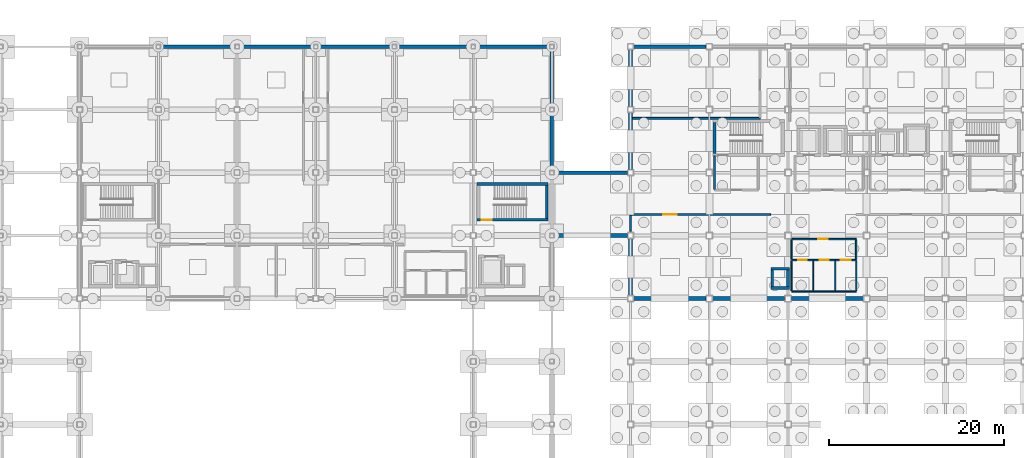
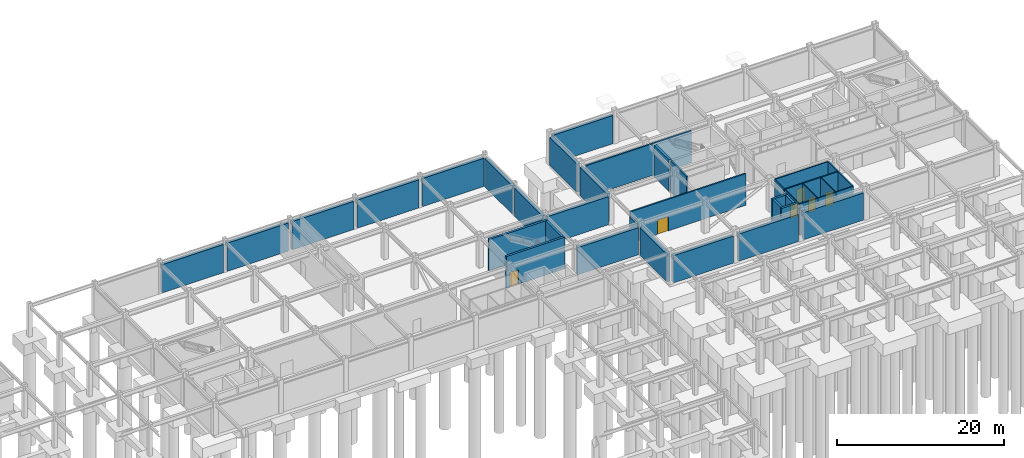
# One storey, part 23 of 28: 39 walls, 6 doors, 6 openings.
"""IFC4 building model written with IfcOpenShell, lengths in metres."""

from ifc_helpers import new_model, si_unit, direction, frame, frame_2d, origin, place, context, subcontext, project, spatial, rectangle, extrude, material, layer, layer_set, type_object, element, fill, save


model = new_model("IFC4")

# Units and contexts
model_context = context("Model", 3, precision=1e-05, world=origin(), true_north=direction((0.0, 1.0)))
body_context = subcontext(model_context, "Body", "Model", "MODEL_VIEW")
ifc_project = project(units=[si_unit("LENGTHUNIT", "METRE"), si_unit("AREAUNIT", "SQUARE_METRE"), si_unit("VOLUMEUNIT", "CUBIC_METRE"), si_unit("PLANEANGLEUNIT", "RADIAN"), si_unit("MASSUNIT", "GRAM", prefix="KILO")], contexts=[model_context])

# Site, building, storey
site_placement = place(None, origin())
site = spatial("IfcSite", under=ifc_project, at=site_placement, CompositionType="ELEMENT")
building_placement = place(site_placement, origin())
building = spatial("IfcBuilding", under=site, at=building_placement, Name="Kazanami Central Library", CompositionType="ELEMENT")
storey_placement = place(building_placement, frame((0.0, 0.0, -4.89990234375)))
storey = spatial("IfcBuildingStorey", under=building, at=storey_placement, Name="B01", CompositionType="ELEMENT", Elevation=-4.89990234375)

# Wall, openings, doors
ifc_material_1 = material(Name="Fire-Resistant Gypsum Board GB-F", Category="gypsum")
ifc_layer_1 = layer(ifc_material_1, 0.1650390625, Name="Fire-Resistant Gypsum Board GB-F")
ifc_layer_set_1 = layer_set([ifc_layer_1], Name="Fire-Resistant Gypsum Board GB-F")
wall_type_1 = type_object("IfcWallType", Name="WAL-FW-165", PredefinedType="PARTITIONING", material=ifc_layer_set_1)
wall_1_placement = place(storey_placement, frame((135.39990234375, 69.199951171875, 0.0), z_axis=(0.0, 0.0, 1.0), x_axis=(1.0, 0.0, 0.0)))
wall_1 = element("IfcWall", 1, at=wall_1_placement, inside=storey, type_object=wall_type_1, Name="Interior Partition FW-165 B01 WC-V2-LOB (South)", PredefinedType="PARTITIONING", context=body_context, shape_type="SweptSolid", body=[
    extrude(rectangle(XDim=7.400146484375, YDim=0.1650390625, at=frame_2d((3.7001953125, 0.0))), origin(), (0.0, 0.0, 1.0), 4.625),
])
opening_1_placement = place(wall_1_placement, frame((0.760009765625, 0.0, 0.0)))
opening_1 = element("IfcOpeningElement", 2, at=opening_1_placement, cuts=wall_1, Name="Opening FD30-3", PredefinedType="OPENING", context=body_context, shape_type="SweptSolid", body=[
    extrude(rectangle(XDim=0.97998046875, YDim=2.02001953125, at=frame_2d((0.489990234375, 1.010009765625))), frame((0.0, 0.094482421875, 0.0), z_axis=(0.0, -1.0, 0.0), x_axis=(1.0, 0.0, 0.0)), (0.0, 0.0, 1.0), 0.18896484375),
])
opening_2_placement = place(wall_1_placement, frame((3.25, 0.0, 0.0)))
opening_2 = element("IfcOpeningElement", 3, at=opening_2_placement, cuts=wall_1, Name="Opening FD30-2", PredefinedType="OPENING", context=body_context, shape_type="SweptSolid", body=[
    extrude(rectangle(XDim=1.0, YDim=2.080078125, at=frame_2d((0.5, 1.0400390625))), frame((0.0, 0.094482421875, 0.0), z_axis=(0.0, -1.0, 0.0), x_axis=(1.0, 0.0, 0.0)), (0.0, 0.0, 1.0), 0.18896484375),
])
opening_3_placement = place(wall_1_placement, frame((5.639892578125, 0.0, 0.0)))
opening_3 = element("IfcOpeningElement", 4, at=opening_3_placement, cuts=wall_1, Name="Opening FD30-8", PredefinedType="OPENING", context=body_context, shape_type="SweptSolid", body=[
    extrude(rectangle(XDim=1.1201171875, YDim=2.080078125, at=frame_2d((0.56005859375, 1.0400390625))), frame((0.0, 0.094482421875, 0.0), z_axis=(0.0, -1.0, 0.0), x_axis=(1.0, 0.0, 0.0)), (0.0, 0.0, 1.0), 0.18896484375),
])
ifc_material_2 = material(Name="Cold-Rolled Steel SPCC", Category="steel")
door_type_1 = type_object("IfcDoorType", Name="DOR-FD30-2", OperationType="NOTDEFINED", PredefinedType="DOOR", material=ifc_material_2)
door_1_placement = place(opening_2_placement, origin())
door_1 = element("IfcDoor", 5, at=door_1_placement, inside=storey, type_object=door_type_1, Name="Interior Door FD30-2 B01 WC-V2-F", OperationType="SINGLE_SWING_RIGHT", OverallHeight=2.080078125, OverallWidth=1.0, PredefinedType="DOOR", context=body_context, shape_type="SweptSolid", body=[
    extrude(rectangle(XDim=1.0, YDim=2.080078125, at=frame_2d((0.5, 1.0400390625))), frame((0.0, 0.02490234375, 0.0), z_axis=(0.0, -1.0, 0.0), x_axis=(1.0, 0.0, 0.0)), (0.0, 0.0, 1.0), 0.050048828125),
])
fill(opening_2, door_1)
door_type_2 = type_object("IfcDoorType", Name="DOR-FD30-3", OperationType="NOTDEFINED", PredefinedType="DOOR", material=ifc_material_2)
door_2_placement = place(opening_1_placement, origin())
door_2 = element("IfcDoor", 6, at=door_2_placement, inside=storey, type_object=door_type_2, Name="Interior Door FD30-3 B01 WC-V2-M", OperationType="SINGLE_SWING_LEFT", OverallHeight=2.02001953125, OverallWidth=0.97998046875, PredefinedType="DOOR", context=body_context, shape_type="SweptSolid", body=[
    extrude(rectangle(XDim=0.97998046875, YDim=2.02001953125, at=frame_2d((0.489990234375, 1.010009765625))), frame((0.0, 0.02490234375, 0.0), z_axis=(0.0, -1.0, 0.0), x_axis=(1.0, 0.0, 0.0)), (0.0, 0.0, 1.0), 0.050048828125),
])
fill(opening_1, door_2)
door_type_3 = type_object("IfcDoorType", Name="DOR-FD30-8", OperationType="NOTDEFINED", PredefinedType="DOOR", material=ifc_material_2)
door_3_placement = place(opening_3_placement, origin())
door_3 = element("IfcDoor", 7, at=door_3_placement, inside=storey, type_object=door_type_3, Name="Interior Door FD30-8 B01 WC-V2-ACC", OperationType="SINGLE_SWING_LEFT", OverallHeight=2.080078125, OverallWidth=1.1201171875, PredefinedType="DOOR", context=body_context, shape_type="SweptSolid", body=[
    extrude(rectangle(XDim=1.1201171875, YDim=2.080078125, at=frame_2d((0.56005859375, 1.0400390625))), frame((0.0, 0.02490234375, 0.0), z_axis=(0.0, -1.0, 0.0), x_axis=(1.0, 0.0, 0.0)), (0.0, 0.0, 1.0), 0.050048828125),
])
fill(opening_3, door_3)

# Wall, opening, door
wall_2_placement = place(storey_placement, frame((135.39990234375, 71.60009765625, 0.0), z_axis=(0.0, 0.0, 1.0), x_axis=(1.0, 0.0, 0.0)))
wall_2 = element("IfcWall", 8, at=wall_2_placement, inside=storey, type_object=wall_type_1, Name="Interior Partition FW-165 B01 WC-V2-LOB (North)", PredefinedType="PARTITIONING", context=body_context, shape_type="SweptSolid", body=[
    extrude(rectangle(XDim=7.400146484375, YDim=0.1650390625, at=frame_2d((3.7001953125, 0.0))), origin(), (0.0, 0.0, 1.0), 4.625),
])
opening_4_placement = place(wall_2_placement, frame((3.0400390625, 0.0, 0.0)))
opening_4 = element("IfcOpeningElement", 9, at=opening_4_placement, cuts=wall_2, Name="Opening FD30-8", PredefinedType="OPENING", context=body_context, shape_type="SweptSolid", body=[
    extrude(rectangle(XDim=1.1201171875, YDim=2.080078125, at=frame_2d((0.56005859375, 1.0400390625))), frame((0.0, 0.094482421875, 0.0), z_axis=(0.0, -1.0, 0.0), x_axis=(1.0, 0.0, 0.0)), (0.0, 0.0, 1.0), 0.18896484375),
])
door_4_placement = place(opening_4_placement, origin())
door_4 = element("IfcDoor", 10, at=door_4_placement, inside=storey, type_object=door_type_3, Name="Interior Door FD30-8 B01 WC-V2-LOB", OperationType="SINGLE_SWING_RIGHT", OverallHeight=2.080078125, OverallWidth=1.1201171875, PredefinedType="DOOR", context=body_context, shape_type="SweptSolid", body=[
    extrude(rectangle(XDim=1.1201171875, YDim=2.080078125, at=frame_2d((0.56005859375, 1.0400390625))), frame((0.0, 0.02490234375, 0.0), z_axis=(0.0, -1.0, 0.0), x_axis=(1.0, 0.0, 0.0)), (0.0, 0.0, 1.0), 0.050048828125),
])
fill(opening_4, door_4)

# Walls
for number, where, z_axis, x_axis, name in (
    (11, (135.39990234375, 69.2900390625, 0.0), (0.0, 0.0, 1.0), (0.0, 1.0, 0.0), "Interior Partition FW-165 B01 WC-V2-LOB (West)"),
    (12, (142.800048828125, 69.2900390625, 0.0), (0.0, 0.0, 1.0), (0.0, 1.0, 0.0), "Interior Partition FW-165 B01 WC-V2-LOB (East)"),
):
    element("IfcWall", number, at=place(storey_placement, frame(where, z_axis=z_axis, x_axis=x_axis)), inside=storey, type_object=wall_type_1, Name=name, PredefinedType="PARTITIONING", context=body_context, shape_type="SweptSolid", body=[
        extrude(rectangle(XDim=2.219970703125, YDim=0.1650390625, at=frame_2d((1.10986328125, 0.0))), origin(), (0.0, 0.0, 1.0), 4.625),
    ])
ifc_layer_2 = layer(ifc_material_1, 0.199951171875, Name="Fire-Resistant Gypsum Board GB-F")
ifc_layer_set_2 = layer_set([ifc_layer_2], Name="Fire-Resistant Gypsum Board GB-F")
wall_type_2 = type_object("IfcWallType", Name="WAL-FW-200", PredefinedType="PARTITIONING", material=ifc_layer_set_2)
wall_3_placement = place(storey_placement, frame((126.60009765625, 77.2900390625, 0.0), z_axis=(0.0, 0.0, 1.0), x_axis=(0.0, 1.0, 0.0)))
element("IfcWall", 13, at=wall_3_placement, inside=storey, type_object=wall_type_2, Name="Interior Partition FW-200 B01 VEST-ST-01 (West)", PredefinedType="PARTITIONING", context=body_context, shape_type="SweptSolid", body=[
    extrude(rectangle(XDim=3.820068359375, YDim=0.199951171875, at=frame_2d((1.91015625, 0.0))), origin(), (0.0, 0.0, 1.0), 4.625),
])

# Wall, opening, door
wall_4_placement = place(storey_placement, frame((117.0, 74.39990234375, 0.0), z_axis=(0.0, 0.0, 1.0), x_axis=(1.0, 0.0, 0.0)))
wall_4 = element("IfcWall", 14, at=wall_4_placement, inside=storey, type_object=wall_type_2, Name="Interior Partition FW-200 B01 RM-11 (North)", PredefinedType="PARTITIONING", context=body_context, shape_type="SweptSolid", body=[
    extrude(rectangle(XDim=16.0, YDim=0.199951171875, at=frame_2d((8.0, 0.0))), origin(), (0.0, 0.0, 1.0), 4.625),
])
opening_5_placement = place(wall_4_placement, frame((3.75, 0.0, 0.0)))
opening_5 = element("IfcOpeningElement", 15, at=opening_5_placement, cuts=wall_4, Name="Opening FD60-6", PredefinedType="OPENING", context=body_context, shape_type="SweptSolid", body=[
    extrude(rectangle(XDim=1.5, YDim=2.10009765625, at=frame_2d((0.75, 1.050048828125))), frame((0.0, 0.11181640625, 0.0), z_axis=(0.0, -1.0, 0.0), x_axis=(1.0, 0.0, 0.0)), (0.0, 0.0, 1.0), 0.223876953125),
])
door_type_4 = type_object("IfcDoorType", Name="DOR-FD60-6", OperationType="DOUBLE_DOOR_SINGLE_SWING", PredefinedType="DOOR", material=ifc_material_2)
door_5_placement = place(opening_5_placement, origin())
door_5 = element("IfcDoor", 16, at=door_5_placement, inside=storey, type_object=door_type_4, Name="Interior Door FD60-6 B01 RM-11", OperationType="DOUBLE_DOOR_SINGLE_SWING", OverallHeight=2.10009765625, OverallWidth=1.5, PredefinedType="DOOR", context=body_context, shape_type="SweptSolid", body=[
    extrude(rectangle(XDim=1.5, YDim=2.10009765625, at=frame_2d((0.75, 1.050048828125))), frame((0.0, 0.02490234375, 0.0), z_axis=(0.0, -1.0, 0.0), x_axis=(1.0, 0.0, 0.0)), (0.0, 0.0, 1.0), 0.050048828125),
])
fill(opening_5, door_5)

# Walls
wall_5_placement = place(storey_placement, frame((117.0, 72.52001953125, 0.0), z_axis=(0.0, 0.0, 1.0), x_axis=(0.0, 1.0, 0.0)))
element("IfcWall", 17, at=wall_5_placement, inside=storey, type_object=wall_type_2, Name="Interior Partition FW-200 B01 RM-11 (West)", PredefinedType="PARTITIONING", context=body_context, shape_type="SweptSolid", body=[
    extrude(rectangle(XDim=1.7900390625, YDim=0.199951171875, at=frame_2d((0.89501953125, 0.0))), origin(), (0.0, 0.0, 1.0), 3.90478515625),
])
ifc_layer_3 = layer(ifc_material_1, 0.219970703125, Name="Fire-Resistant Gypsum Board GB-F")
ifc_layer_set_3 = layer_set([ifc_layer_3], Name="Fire-Resistant Gypsum Board GB-F")
wall_type_3 = type_object("IfcWallType", Name="WAL-FW-220", PredefinedType="PARTITIONING", material=ifc_layer_set_3)
wall_6_placement = place(storey_placement, frame((117.22998046875, 85.39990234375, 0.0), z_axis=(0.0, 0.0, 1.0), x_axis=(1.0, 0.0, 0.0)))
element("IfcWall", 18, at=wall_6_placement, inside=storey, type_object=wall_type_3, Name="Interior Partition FW-220 B01 RM-13 (South)", PredefinedType="PARTITIONING", context=body_context, shape_type="SweptSolid", body=[
    extrude(rectangle(XDim=14.570068359375, YDim=0.219970703125, at=frame_2d((7.28515625, 0.0))), origin(), (0.0, 0.0, 1.0), 4.625),
])
ifc_material_3 = material(Name="Gypsum Plasterboard GB-R", Category="gypsum")
ifc_layer_4 = layer(ifc_material_3, 0.125, Name="Gypsum Plasterboard GB-R")
ifc_layer_set_4 = layer_set([ifc_layer_4], Name="Gypsum Plasterboard GB-R")
wall_type_4 = type_object("IfcWallType", Name="WAL-PW-125", PredefinedType="PARTITIONING", material=ifc_layer_set_4)
wall_7_placement = place(storey_placement, frame((135.39990234375, 65.60009765625, 0.0), z_axis=(0.0, 0.0, 1.0), x_axis=(1.0, 0.0, 0.0)))
element("IfcWall", 19, at=wall_7_placement, inside=storey, type_object=wall_type_4, Name="Interior Partition PW-125 B01 WC-V2-M (South)", PredefinedType="PARTITIONING", context=body_context, shape_type="SweptSolid", body=[
    extrude(rectangle(XDim=2.5, YDim=0.125, at=frame_2d((1.25, 0.0))), origin(), (0.0, 0.0, 1.0), 4.625),
])
for number, where, z_axis, x_axis, name in (
    (20, (135.39990234375, 65.68994140625, 0.0), (0.0, 0.0, 1.0), (0.0, 1.0, 0.0), "Interior Partition PW-125 B01 WC-V2-M (West)"),
    (21, (137.89990234375, 65.68994140625, 0.0), (0.0, 0.0, 1.0), (0.0, 1.0, 0.0), "Interior Partition PW-125 B01 WC-V2-M (East)"),
):
    element("IfcWall", number, at=place(storey_placement, frame(where, z_axis=z_axis, x_axis=x_axis)), inside=storey, type_object=wall_type_4, Name=name, PredefinedType="PARTITIONING", context=body_context, shape_type="SweptSolid", body=[
        extrude(rectangle(XDim=3.420166015625, YDim=0.125, at=frame_2d((1.7099609375, 0.0))), origin(), (0.0, 0.0, 1.0), 4.625),
    ])
wall_8_placement = place(storey_placement, frame((137.89990234375, 65.60009765625, 0.0), z_axis=(0.0, 0.0, 1.0), x_axis=(1.0, 0.0, 0.0)))
element("IfcWall", 22, at=wall_8_placement, inside=storey, type_object=wall_type_4, Name="Interior Partition PW-125 B01 WC-V2-F (South)", PredefinedType="PARTITIONING", context=body_context, shape_type="SweptSolid", body=[
    extrude(rectangle(XDim=2.5, YDim=0.125, at=frame_2d((1.25, 0.0))), origin(), (0.0, 0.0, 1.0), 4.625),
])
wall_9_placement = place(storey_placement, frame((140.39990234375, 65.68994140625, 0.0), z_axis=(0.0, 0.0, 1.0), x_axis=(0.0, 1.0, 0.0)))
element("IfcWall", 23, at=wall_9_placement, inside=storey, type_object=wall_type_4, Name="Interior Partition PW-125 B01 WC-V2-F (East)", PredefinedType="PARTITIONING", context=body_context, shape_type="SweptSolid", body=[
    extrude(rectangle(XDim=3.420166015625, YDim=0.125, at=frame_2d((1.7099609375, 0.0))), origin(), (0.0, 0.0, 1.0), 4.625),
])
wall_10_placement = place(storey_placement, frame((140.39990234375, 65.60009765625, 0.0), z_axis=(0.0, 0.0, 1.0), x_axis=(1.0, 0.0, 0.0)))
element("IfcWall", 24, at=wall_10_placement, inside=storey, type_object=wall_type_4, Name="Interior Partition PW-125 B01 WC-V2-ACC (South)", PredefinedType="PARTITIONING", context=body_context, shape_type="SweptSolid", body=[
    extrude(rectangle(XDim=2.400146484375, YDim=0.125, at=frame_2d((1.2001953125, 0.0))), origin(), (0.0, 0.0, 1.0), 4.625),
])
wall_11_placement = place(storey_placement, frame((142.800048828125, 65.68994140625, 0.0), z_axis=(0.0, 0.0, 1.0), x_axis=(0.0, 1.0, 0.0)))
element("IfcWall", 25, at=wall_11_placement, inside=storey, type_object=wall_type_4, Name="Interior Partition PW-125 B01 WC-V2-ACC (East)", PredefinedType="PARTITIONING", context=body_context, shape_type="SweptSolid", body=[
    extrude(rectangle(XDim=3.420166015625, YDim=0.125, at=frame_2d((1.7099609375, 0.0))), origin(), (0.0, 0.0, 1.0), 4.625),
])
ifc_material_4 = material(Name="Concrete Fc36 (36 MPa)", Category="concrete")
ifc_layer_5 = layer(ifc_material_4, 0.39990234375, Name="Concrete Fc36 (36 MPa)")
ifc_layer_set_5 = layer_set([ifc_layer_5], Name="Concrete Fc36 (36 MPa)")
wall_type_5 = type_object("IfcWallType", Name="WAL-RW-400", PredefinedType="SOLIDWALL", material=ifc_layer_set_5)
wall_12_placement = place(storey_placement, frame((116.64990234375, 79.199951171875, 0.0), z_axis=(0.0, 0.0, 1.0), x_axis=(-1.0, 0.0, 0.0)))
element("IfcWall", 26, at=wall_12_placement, inside=storey, type_object=wall_type_5, Name="Basement Retaining Wall RW-400 N-M-13", PredefinedType="SOLIDWALL", context=body_context, shape_type="SweptSolid", body=[
    extrude(rectangle(XDim=8.39990234375, YDim=0.39990234375, at=frame_2d((4.199951171875, 0.0))), origin(), (0.0, 0.0, 1.0), 4.125),
])
for number, where, z_axis, x_axis, name in (
    (27, (71.75, 93.60009765625, 0.0), (0.0, 0.0, 1.0), (-1.0, 0.0, 0.0), "Basement Retaining Wall RW-400 N-O-08"),
    (28, (80.75, 93.60009765625, 0.0), (0.0, 0.0, 1.0), (-1.0, 0.0, 0.0), "Basement Retaining Wall RW-400 N-O-09"),
    (29, (89.75, 93.60009765625, 0.0), (0.0, 0.0, 1.0), (-1.0, 0.0, 0.0), "Basement Retaining Wall RW-400 N-O-10"),
    (30, (98.75, 93.60009765625, 0.0), (0.0, 0.0, 1.0), (-1.0, 0.0, 0.0), "Basement Retaining Wall RW-400 N-O-11"),
    (31, (107.75, 93.60009765625, 0.0), (0.0, 0.0, 1.0), (-1.0, 0.0, 0.0), "Basement Retaining Wall RW-400 N-O-12"),
):
    element("IfcWall", number, at=place(storey_placement, frame(where, z_axis=z_axis, x_axis=x_axis)), inside=storey, type_object=wall_type_5, Name=name, PredefinedType="SOLIDWALL", context=body_context, shape_type="SweptSolid", body=[
        extrude(rectangle(XDim=8.5, YDim=0.39990234375, at=frame_2d((4.25, 0.0))), origin(), (0.0, 0.0, 1.0), 4.125),
    ])
wall_13_placement = place(storey_placement, frame((125.64990234375, 93.60009765625, 0.0), z_axis=(0.0, 0.0, 1.0), x_axis=(-1.0, 0.0, 0.0)))
element("IfcWall", 32, at=wall_13_placement, inside=storey, type_object=wall_type_5, Name="Basement Retaining Wall RW-400 N-O-14", PredefinedType="SOLIDWALL", context=body_context, shape_type="SweptSolid", body=[
    extrude(rectangle(XDim=8.2998046875, YDim=0.39990234375, at=frame_2d((4.14990234375, 0.0))), origin(), (0.0, 0.0, 1.0), 4.125),
])
wall_14_placement = place(storey_placement, frame((108.0, 86.14990234375, 0.0), z_axis=(0.0, 0.0, 1.0), x_axis=(0.0, -1.0, 0.0)))
element("IfcWall", 33, at=wall_14_placement, inside=storey, type_object=wall_type_5, Name="Basement Retaining Wall RW-400 E-13-12", PredefinedType="SOLIDWALL", context=body_context, shape_type="SweptSolid", body=[
    extrude(rectangle(XDim=6.699951171875, YDim=0.39990234375, at=frame_2d((3.35009765625, 0.0))), origin(), (0.0, 0.0, 1.0), 4.125),
])
wall_15_placement = place(storey_placement, frame((108.0, 93.35009765625, 0.0), z_axis=(0.0, 0.0, 1.0), x_axis=(0.0, -1.0, 0.0)))
element("IfcWall", 34, at=wall_15_placement, inside=storey, type_object=wall_type_5, Name="Basement Retaining Wall RW-400 E-13-13", PredefinedType="SOLIDWALL", context=body_context, shape_type="SweptSolid", body=[
    extrude(rectangle(XDim=6.7001953125, YDim=0.39990234375, at=frame_2d((3.35009765625, 0.0))), origin(), (0.0, 0.0, 1.0), 4.125),
])
ifc_layer_6 = layer(ifc_material_4, 0.449951171875, Name="Concrete Fc36 (36 MPa)")
ifc_layer_set_6 = layer_set([ifc_layer_6], Name="Concrete Fc36 (36 MPa)")
wall_type_6 = type_object("IfcWallType", Name="WAL-RW-450", PredefinedType="SOLIDWALL", material=ifc_layer_set_6)
wall_16_placement = place(storey_placement, frame((117.35009765625, 64.800048828125, 0.0), z_axis=(0.0, 0.0, 1.0), x_axis=(1.0, 0.0, 0.0)))
element("IfcWall", 35, at=wall_16_placement, inside=storey, type_object=wall_type_6, Name="Basement Retaining Wall RW-450 S-K-14", PredefinedType="SOLIDWALL", context=body_context, shape_type="SweptSolid", body=[
    extrude(rectangle(XDim=8.27490234375, YDim=0.449951171875, at=frame_2d((4.137451171875, 0.0))), origin(), (0.0, 0.0, 1.0), 3.974853515625),
])
for number, where, z_axis, x_axis, name in (
    (36, (126.375, 64.800048828125, 0.0), (0.0, 0.0, 1.0), (1.0, 0.0, 0.0), "Basement Retaining Wall RW-450 S-K-15"),
    (37, (135.375, 64.800048828125, 0.0), (0.0, 0.0, 1.0), (1.0, 0.0, 0.0), "Basement Retaining Wall RW-450 S-K-16"),
):
    element("IfcWall", number, at=place(storey_placement, frame(where, z_axis=z_axis, x_axis=x_axis)), inside=storey, type_object=wall_type_6, Name=name, PredefinedType="SOLIDWALL", context=body_context, shape_type="SweptSolid", body=[
        extrude(rectangle(XDim=8.25, YDim=0.449951171875, at=frame_2d((4.125, 0.0))), origin(), (0.0, 0.0, 1.0), 3.974853515625),
    ])
wall_17_placement = place(storey_placement, frame((108.25, 72.0, 0.0), z_axis=(0.0, 0.0, 1.0), x_axis=(1.0, 0.0, 0.0)))
element("IfcWall", 38, at=wall_17_placement, inside=storey, type_object=wall_type_6, Name="Basement Retaining Wall RW-450 S-L-13", PredefinedType="SOLIDWALL", context=body_context, shape_type="SweptSolid", body=[
    extrude(rectangle(XDim=8.39990234375, YDim=0.449951171875, at=frame_2d((4.199951171875, 0.0))), origin(), (0.0, 0.0, 1.0), 3.974853515625),
])
wall_18_placement = place(storey_placement, frame((117.0, 65.14990234375, 0.0), z_axis=(0.0, 0.0, 1.0), x_axis=(0.0, 1.0, 0.0)))
element("IfcWall", 39, at=wall_18_placement, inside=storey, type_object=wall_type_6, Name="Basement Retaining Wall RW-450 W-14-10", PredefinedType="SOLIDWALL", context=body_context, shape_type="SweptSolid", body=[
    extrude(rectangle(XDim=6.5, YDim=0.449951171875, at=frame_2d((3.25, 0.0))), origin(), (0.0, 0.0, 1.0), 4.02490234375),
])
for number, where, z_axis, x_axis, name in (
    (40, (117.0, 79.550048828125, 0.0), (0.0, 0.0, 1.0), (0.0, 1.0, 0.0), "Basement Retaining Wall RW-450 W-14-12"),
    (41, (117.0, 86.75, 0.0), (0.0, 0.0, 1.0), (0.0, 1.0, 0.0), "Basement Retaining Wall RW-450 W-14-13"),
):
    element("IfcWall", number, at=place(storey_placement, frame(where, z_axis=z_axis, x_axis=x_axis)), inside=storey, type_object=wall_type_6, Name=name, PredefinedType="SOLIDWALL", context=body_context, shape_type="SweptSolid", body=[
        extrude(rectangle(XDim=6.5, YDim=0.449951171875, at=frame_2d((3.25, 0.0))), origin(), (0.0, 0.0, 1.0), 4.125),
    ])

# Wall, opening, door
ifc_layer_7 = layer(ifc_material_4, 0.300048828125, Name="Concrete Fc36 (36 MPa)")
ifc_layer_set_7 = layer_set([ifc_layer_7], Name="Concrete Fc36 (36 MPa)")
wall_type_7 = type_object("IfcWallType", Name="WAL-SW-300", PredefinedType="SHEAR", material=ifc_layer_set_7)
wall_19_placement = place(storey_placement, frame((99.449951171875, 73.800048828125, 0.0), z_axis=(0.0, 0.0, 1.0), x_axis=(1.0, 0.0, 0.0)))
wall_19 = element("IfcWall", 42, at=wall_19_placement, inside=storey, type_object=wall_type_7, Name="Stair Core Wall ST-04 South B01", PredefinedType="SHEAR", context=body_context, shape_type="SweptSolid", body=[
    extrude(rectangle(XDim=8.10009765625, YDim=0.300048828125, at=frame_2d((4.050048828125, 0.0))), origin(), (0.0, 0.0, 1.0), 4.625),
])
opening_6_placement = place(wall_19_placement, frame((0.5, 0.0, 0.0)))
opening_6 = element("IfcOpeningElement", 43, at=opening_6_placement, cuts=wall_19, Name="Opening FD60-1", PredefinedType="OPENING", context=body_context, shape_type="SweptSolid", body=[
    extrude(rectangle(XDim=1.199951171875, YDim=2.10009765625, at=frame_2d((0.60009765625, 1.050048828125))), frame((0.0, 0.162109375, 0.0), z_axis=(0.0, -1.0, 0.0), x_axis=(1.0, 0.0, 0.0)), (0.0, 0.0, 1.0), 0.323974609375),
])
door_type_5 = type_object("IfcDoorType", Name="DOR-FD60-1", OperationType="NOTDEFINED", PredefinedType="DOOR", material=ifc_material_2)
door_6_placement = place(opening_6_placement, origin())
door_6 = element("IfcDoor", 44, at=door_6_placement, inside=storey, type_object=door_type_5, Name="Escape Stair ST-04 Fire Door B01", OperationType="SINGLE_SWING_RIGHT", OverallHeight=2.10009765625, OverallWidth=1.199951171875, PredefinedType="DOOR", context=body_context, shape_type="SweptSolid", body=[
    extrude(rectangle(XDim=1.199951171875, YDim=2.10009765625, at=frame_2d((0.60009765625, 1.050048828125))), frame((0.0, 0.02490234375, 0.0), z_axis=(0.0, -1.0, 0.0), x_axis=(1.0, 0.0, 0.0)), (0.0, 0.0, 1.0), 0.050048828125),
])
fill(opening_6, door_6)

# Walls
wall_20_placement = place(storey_placement, frame((99.449951171875, 77.89990234375, 0.0), z_axis=(0.0, 0.0, 1.0), x_axis=(1.0, 0.0, 0.0)))
element("IfcWall", 45, at=wall_20_placement, inside=storey, type_object=wall_type_7, Name="Stair Core Wall ST-04 North B01", PredefinedType="SHEAR", context=body_context, shape_type="SweptSolid", body=[
    extrude(rectangle(XDim=8.10009765625, YDim=0.300048828125, at=frame_2d((4.050048828125, 0.0))), origin(), (0.0, 0.0, 1.0), 4.625),
])
wall_21_placement = place(storey_placement, frame((107.39990234375, 73.949951171875, 0.0), z_axis=(0.0, 0.0, 1.0), x_axis=(0.0, 1.0, 0.0)))
element("IfcWall", 46, at=wall_21_placement, inside=storey, type_object=wall_type_7, Name="Stair Core Wall ST-04 East B01", PredefinedType="SHEAR", context=body_context, shape_type="SweptSolid", body=[
    extrude(rectangle(XDim=3.800048828125, YDim=0.300048828125, at=frame_2d((1.89990234375, 0.0))), origin(), (0.0, 0.0, 1.0), 4.625),
])
for number, where, z_axis, x_axis, name in (
    (47, (133.050048828125, 66.0, 0.0), (0.0, 0.0, 1.0), (1.0, 0.0, 0.0), "Service Riser Wall RSR-V2-B S B01"),
    (48, (133.050048828125, 68.199951171875, 0.0), (0.0, 0.0, 1.0), (1.0, 0.0, 0.0), "Service Riser Wall RSR-V2-B N B01"),
):
    element("IfcWall", number, at=place(storey_placement, frame(where, z_axis=z_axis, x_axis=x_axis)), inside=storey, type_object=wall_type_7, Name=name, PredefinedType="SHEAR", context=body_context, shape_type="SweptSolid", body=[
        extrude(rectangle(XDim=2.099853515625, YDim=0.300048828125, at=frame_2d((1.0498046875, 0.0))), origin(), (0.0, 0.0, 1.0), 4.625),
    ])
for number, where, z_axis, x_axis, name in (
    (49, (133.199951171875, 66.14990234375, 0.0), (0.0, 0.0, 1.0), (0.0, 1.0, 0.0), "Service Riser Wall RSR-V2-B W B01"),
    (50, (135.0, 66.14990234375, 0.0), (0.0, 0.0, 1.0), (0.0, 1.0, 0.0), "Service Riser Wall RSR-V2-B E B01"),
):
    element("IfcWall", number, at=place(storey_placement, frame(where, z_axis=z_axis, x_axis=x_axis)), inside=storey, type_object=wall_type_7, Name=name, PredefinedType="SHEAR", context=body_context, shape_type="SweptSolid", body=[
        extrude(rectangle(XDim=1.900146484375, YDim=0.300048828125, at=frame_2d((0.9501953125, 0.0))), origin(), (0.0, 0.0, 1.0), 4.625),
    ])
ifc_layer_8 = layer(ifc_material_4, 0.35009765625, Name="Concrete Fc36 (36 MPa)")
ifc_layer_set_8 = layer_set([ifc_layer_8], Name="Concrete Fc36 (36 MPa)")
wall_type_8 = type_object("IfcWallType", Name="WAL-SW-350", PredefinedType="SHEAR", material=ifc_layer_set_8)
wall_22_placement = place(storey_placement, frame((126.60009765625, 81.375, 0.0), z_axis=(0.0, 0.0, 1.0), x_axis=(0.0, 1.0, 0.0)))
element("IfcWall", 51, at=wall_22_placement, inside=storey, type_object=wall_type_8, Name="Stair Core Wall ST-01 West B01", PredefinedType="SHEAR", context=body_context, shape_type="SweptSolid", body=[
    extrude(rectangle(XDim=3.550048828125, YDim=0.35009765625, at=frame_2d((1.77490234375, 0.0))), origin(), (0.0, 0.0, 1.0), 4.625),
])

save(model, "model.ifc")
